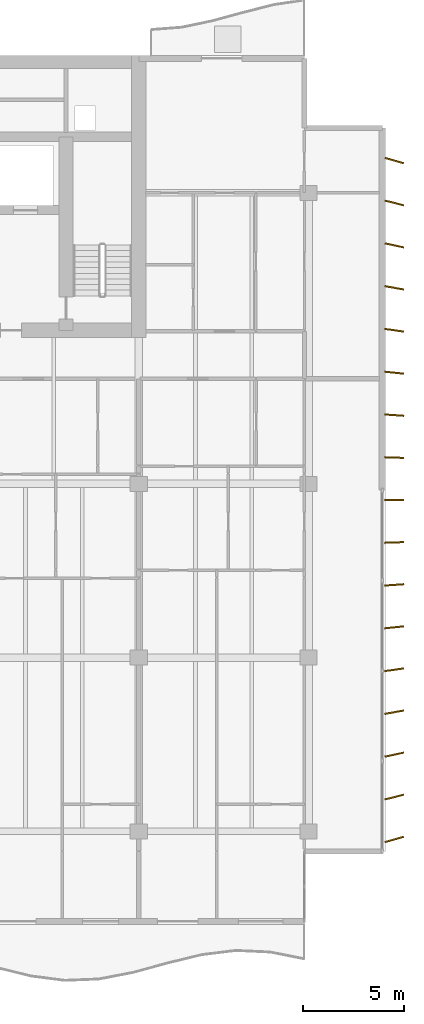
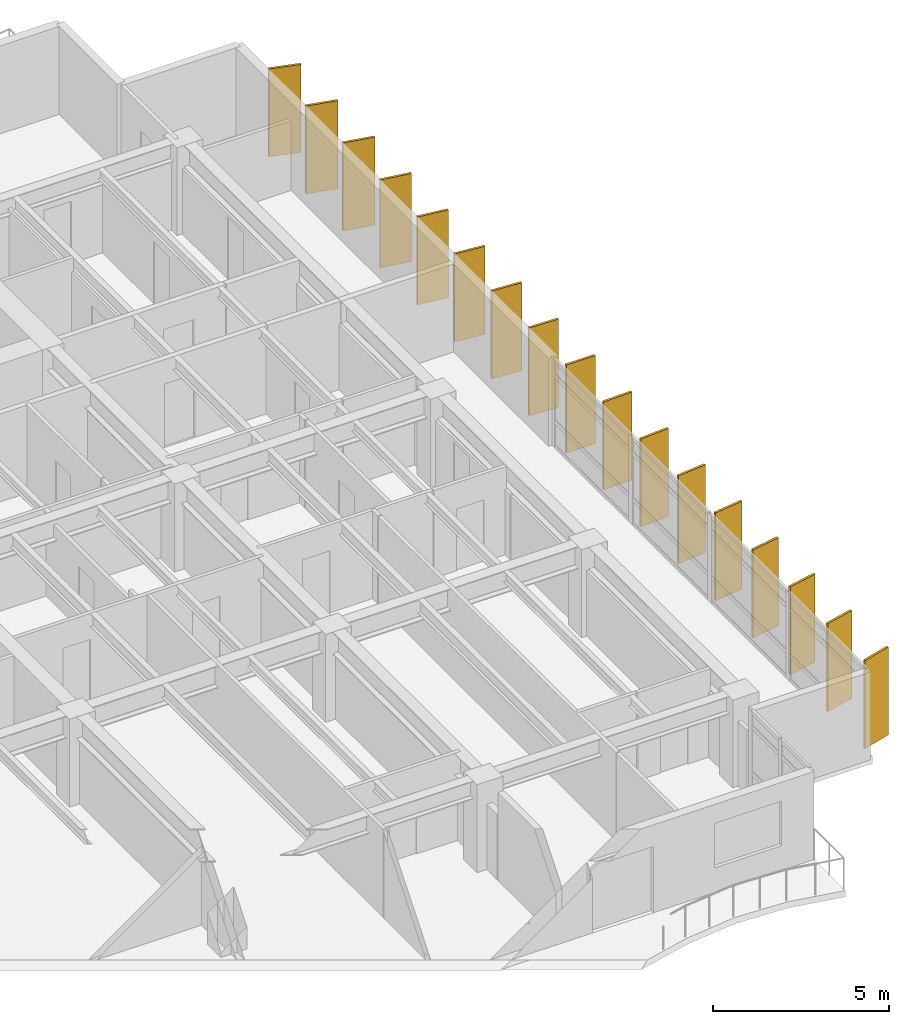
# One storey, part 18 of 18: 17 shading devices.
"""IFC4 building model written with IfcOpenShell, lengths in metres."""

from ifc_helpers import new_model, si_unit, direction, frame, origin, origin_2d, place, context, subcontext, project, spatial, rectangle, extrude, material, material_profile, profile_set, type_object, element, save


model = new_model("IFC4")

# Units and contexts
model_context = context("Model", 3, precision=1e-05, world=origin(), true_north=direction((0.0, 1.0)))
body_context = subcontext(model_context, "Body", "Model", "MODEL_VIEW")
ifc_project = project(units=[si_unit("LENGTHUNIT", "METRE"), si_unit("AREAUNIT", "SQUARE_METRE"), si_unit("VOLUMEUNIT", "CUBIC_METRE"), si_unit("PLANEANGLEUNIT", "RADIAN"), si_unit("MASSUNIT", "GRAM", prefix="KILO")], contexts=[model_context])

# Site, building, storey
site_placement = place(None, origin())
site = spatial("IfcSite", under=ifc_project, at=site_placement, CompositionType="ELEMENT")
building_placement = place(site_placement, origin())
building = spatial("IfcBuilding", under=site, at=building_placement, Name="Caelmar Bay Residences", CompositionType="ELEMENT")
storey_placement = place(building_placement, frame((0.0, 0.0, 173.699951171875)))
storey = spatial("IfcBuildingStorey", under=building, at=storey_placement, Name="L48", CompositionType="ELEMENT", Elevation=173.699951171875)

# Shading devices
ifc_material = material(Name="Anodised architectural bronze aluminium 6063-T6", Category="aluminium")
ifc_material_profile = material_profile(ifc_material, rectangle(XDim=0.074951171875, YDim=0.949951171875, at=origin_2d()), Name="BRONZE-FIN-75X950")
ifc_profile_set = profile_set([ifc_material_profile], Name="Anodised architectural bronze aluminium 6063-T6")
shading_device_type = type_object("IfcShadingDeviceType", Name="SHD-FIN-950", PredefinedType="USERDEFINED", material=ifc_profile_set)
for number, where, z_axis, x_axis, name in (
    (1, (72.14990234375, 11.800048828125, 0.0), (0.0, 0.0, 1.0), (-0.275637355817, 0.961261695938, 0.0), "L48 East Bronze Solar Fin 1"),
    (2, (72.14990234375, 13.89990234375, 0.0), (0.0, 0.0, 1.0), (-0.2419218956, 0.970295726276, 0.0), "L48 East Bronze Solar Fin 2"),
    (3, (72.14990234375, 16.0, 0.0), (0.0, 0.0, 1.0), (-0.207911690818, 0.978147600734, 0.0), "L48 East Bronze Solar Fin 3"),
    (4, (72.14990234375, 18.10009765625, 0.0), (0.0, 0.0, 1.0), (-0.173648177667, 0.984807753012, 0.0), "L48 East Bronze Solar Fin 4"),
    (5, (72.14990234375, 20.199951171875, 0.0), (0.0, 0.0, 1.0), (-0.13917310096, 0.990268068742, 0.0), "L48 East Bronze Solar Fin 5"),
    (6, (72.14990234375, 22.300048828125, 0.0), (0.0, 0.0, 1.0), (-0.104528463268, 0.994521895368, 0.0), "L48 East Bronze Solar Fin 6"),
    (7, (72.14990234375, 24.39990234375, 0.0), (0.0, 0.0, 1.0), (-0.069756473744, 0.99756405026, 0.0), "L48 East Bronze Solar Fin 7"),
    (8, (72.14990234375, 26.5, 0.0), (0.0, 0.0, 1.0), (-0.034899496703, 0.999390827019, 0.0), "L48 East Bronze Solar Fin 8"),
    (9, (72.14990234375, 28.60009765625, 0.0), (0.0, 0.0, 1.0), (0.0, 1.0, 0.0), "L48 East Bronze Solar Fin 9"),
    (10, (72.14990234375, 30.699951171875, 0.0), (0.0, 0.0, 1.0), (0.034899496703, 0.999390827019, 0.0), "L48 East Bronze Solar Fin 10"),
    (11, (72.14990234375, 32.800048828125, 0.0), (0.0, 0.0, 1.0), (0.069756473744, 0.99756405026, 0.0), "L48 East Bronze Solar Fin 11"),
    (12, (72.14990234375, 34.89990234375, 0.0), (0.0, 0.0, 1.0), (0.104528463268, 0.994521895368, 0.0), "L48 East Bronze Solar Fin 12"),
    (13, (72.14990234375, 37.0, 0.0), (0.0, 0.0, 1.0), (0.13917310096, 0.990268068742, 0.0), "L48 East Bronze Solar Fin 13"),
    (14, (72.14990234375, 39.10009765625, 0.0), (0.0, 0.0, 1.0), (0.173648177667, 0.984807753012, 0.0), "L48 East Bronze Solar Fin 14"),
    (15, (72.14990234375, 41.199951171875, 0.0), (0.0, 0.0, 1.0), (0.207911690818, 0.978147600734, 0.0), "L48 East Bronze Solar Fin 15"),
    (16, (72.14990234375, 43.300048828125, 0.0), (0.0, 0.0, 1.0), (0.2419218956, 0.970295726276, 0.0), "L48 East Bronze Solar Fin 16"),
    (17, (72.14990234375, 45.39990234375, 0.0), (0.0, 0.0, 1.0), (0.275637355817, 0.961261695938, 0.0), "L48 East Bronze Solar Fin 17"),
):
    element("IfcShadingDevice", number, at=place(storey_placement, frame(where, z_axis=z_axis, x_axis=x_axis)), inside=storey, type_object=shading_device_type, Name=name, ObjectType="FIN", PredefinedType="USERDEFINED", context=body_context, shape_type="SweptSolid", body=[
        extrude(rectangle(XDim=0.074951171875, YDim=0.949951171875, at=origin_2d()), origin(), (0.0, 0.0, 1.0), 3.050048828125),
    ])

save(model, "model.ifc")
